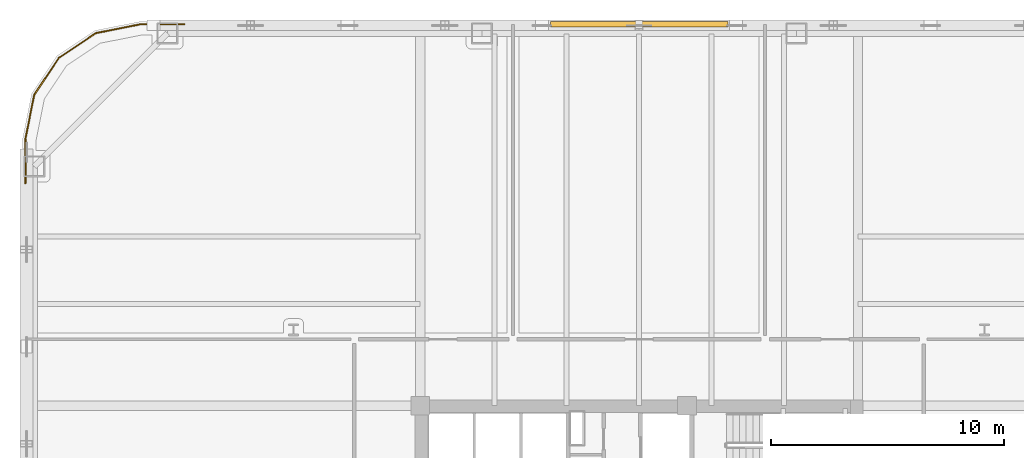
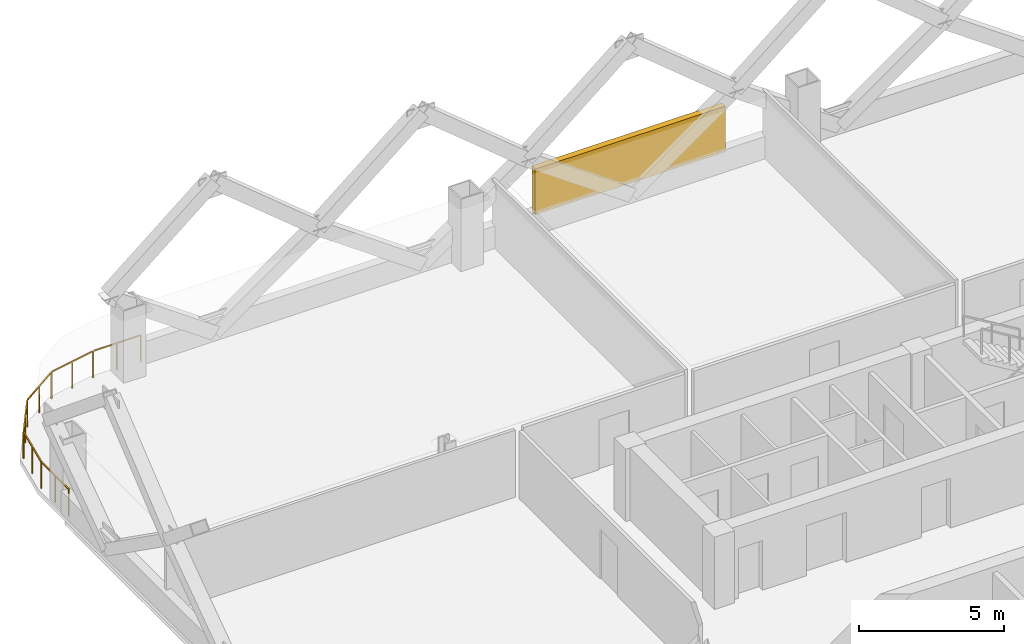
# One storey, part 11 of 12: 1 railing, 1 shading device.
"""IFC4 building model written with IfcOpenShell, lengths in metres."""

from ifc_helpers import new_model, si_unit, direction, frame, origin, origin_2d, place, context, subcontext, project, spatial, rectangle, extrude, material, type_object, element, save


model = new_model("IFC4")

# Units and contexts
model_context = context("Model", 3, precision=1e-05, world=origin(), true_north=direction((0.0, 1.0)))
body_context = subcontext(model_context, "Body", "Model", "MODEL_VIEW")
ifc_project = project(units=[si_unit("LENGTHUNIT", "METRE"), si_unit("AREAUNIT", "SQUARE_METRE"), si_unit("VOLUMEUNIT", "CUBIC_METRE"), si_unit("PLANEANGLEUNIT", "RADIAN"), si_unit("MASSUNIT", "GRAM", prefix="KILO")], contexts=[model_context])

# Site, building, storey
site_placement = place(None, origin())
site = spatial("IfcSite", under=ifc_project, at=site_placement, CompositionType="ELEMENT")
building_placement = place(site_placement, origin())
building = spatial("IfcBuilding", under=site, at=building_placement, Name="Qhalaya Broadcast Tower", CompositionType="ELEMENT")
storey_placement = place(building_placement, frame((0.0, 0.0, 50.5)))
storey = spatial("IfcBuildingStorey", under=building, at=storey_placement, Name="L14", CompositionType="ELEMENT", Elevation=50.5)

# Railing
ifc_material_1 = material(Name="Powder-Coated Galvanised Steel", Category="steel")
railing_type = type_object("IfcRailingType", Name="Terrace, Sky-Pool & Lookout Glass Balustrade 1150", PredefinedType="BALUSTRADE", material=ifc_material_1)
railing_placement = place(storey_placement, frame((-26.280029296875, 19.48193359375, 0.0)))
element("IfcRailing", 1, at=railing_placement, inside=storey, type_object=railing_type, Name="L14 Rounded Corner Perimeter Guard 03", PredefinedType="BALUSTRADE", context=body_context, shape_type="SweptSolid", body=[
    extrude(rectangle(XDim=0.048095703125, YDim=0.048095703125, at=origin_2d()), frame((0.0, 0.0, 1.1259765625), z_axis=(0.0, 1.0, 0.0), x_axis=(-1.0, 0.0, 0.0)), (0.0, 0.0, 1.0), 1.87744140625),
    extrude(rectangle(XDim=0.048095703125, YDim=0.048095703125, at=origin_2d()), frame((0.005615234375, 1.9345703125, 1.1259765625), z_axis=(0.195037378397, 0.980795810058, 0.0), x_axis=(-0.980795810058, 0.195037378397, 0.0)), (0.0, 0.0, 1.0), 1.857421875),
    extrude(rectangle(XDim=0.048095703125, YDim=0.048095703125, at=origin_2d()), frame((0.3896484375, 3.80859375, 1.1259765625), z_axis=(0.555558355728, 0.831477548332, 0.0), x_axis=(-0.831477548332, 0.555558355728, 0.0)), (0.0, 0.0, 1.0), 1.845458984375),
    extrude(rectangle(XDim=0.048095703125, YDim=0.048095703125, at=origin_2d()), frame((1.454833984375, 5.38330078125, 1.1259765625), z_axis=(0.831477548332, 0.555558355728, 0.0), x_axis=(-0.555558355728, 0.831477548332, 0.0)), (0.0, 0.0, 1.0), 1.845458984375),
    extrude(rectangle(XDim=0.048095703125, YDim=0.048095703125, at=origin_2d()), frame((3.041748046875, 6.43017578125, 1.1259765625), z_axis=(0.980795810058, 0.195037378397, 0.0), x_axis=(-0.195037378397, 0.980795810058, 0.0)), (0.0, 0.0, 1.0), 1.857421875),
    extrude(rectangle(XDim=0.048095703125, YDim=0.048095703125, at=origin_2d()), frame((4.920654296875, 6.798095703125, 1.1259765625), z_axis=(1.0, 0.0, 0.0), x_axis=(0.0, 1.0, 0.0)), (0.0, 0.0, 1.0), 1.87744140625),
    extrude(rectangle(XDim=0.0419921875, YDim=0.0419921875, at=origin_2d()), origin(), (0.0, 0.0, 1.0), 1.099853515625),
    extrude(rectangle(XDim=0.0419921875, YDim=0.0419921875, at=origin_2d()), frame((0.0, 0.953125, 0.0)), (0.0, 0.0, 1.0), 1.099853515625),
    extrude(rectangle(XDim=0.0419921875, YDim=0.0419921875, at=origin_2d()), frame((0.0, 1.90625, 0.0)), (0.0, 0.0, 1.0), 1.099853515625),
    extrude(rectangle(XDim=0.0419921875, YDim=0.0419921875, at=origin_2d()), frame((0.186767578125, 2.845458984375, 0.0)), (0.0, 0.0, 1.0), 1.099853515625),
    extrude(rectangle(XDim=0.0419921875, YDim=0.0419921875, at=origin_2d()), frame((0.37353515625, 3.78466796875, 0.0)), (0.0, 0.0, 1.0), 1.099853515625),
    extrude(rectangle(XDim=0.0419921875, YDim=0.0419921875, at=origin_2d()), frame((0.90234375, 4.575927734375, 0.0)), (0.0, 0.0, 1.0), 1.099853515625),
    extrude(rectangle(XDim=0.0419921875, YDim=0.0419921875, at=origin_2d()), frame((1.430908203125, 5.3671875, 0.0)), (0.0, 0.0, 1.0), 1.099853515625),
    extrude(rectangle(XDim=0.0419921875, YDim=0.0419921875, at=origin_2d()), frame((2.22216796875, 5.89599609375, 0.0)), (0.0, 0.0, 1.0), 1.099853515625),
    extrude(rectangle(XDim=0.0419921875, YDim=0.0419921875, at=origin_2d()), frame((3.013427734375, 6.424560546875, 0.0)), (0.0, 0.0, 1.0), 1.099853515625),
    extrude(rectangle(XDim=0.0419921875, YDim=0.0419921875, at=origin_2d()), frame((3.95263671875, 6.611328125, 0.0)), (0.0, 0.0, 1.0), 1.099853515625),
    extrude(rectangle(XDim=0.0419921875, YDim=0.0419921875, at=origin_2d()), frame((4.891845703125, 6.798095703125, 0.0)), (0.0, 0.0, 1.0), 1.099853515625),
    extrude(rectangle(XDim=0.0419921875, YDim=0.0419921875, at=origin_2d()), frame((5.844970703125, 6.798095703125, 0.0)), (0.0, 0.0, 1.0), 1.099853515625),
    extrude(rectangle(XDim=0.0419921875, YDim=0.0419921875, at=origin_2d()), frame((6.798095703125, 6.798095703125, 0.0)), (0.0, 0.0, 1.0), 1.099853515625),
])

# Shading device
ifc_material_2 = material(Name="Fired Architectural Terracotta", Category="masonry")
shading_device_type = type_object("IfcShadingDeviceType", Name="Terracotta Baguette Solar Screen Assembly TBS-01", PredefinedType="USERDEFINED", material=ifc_material_2)
shading_device_placement = place(storey_placement, frame((0.0, 26.280029296875, 0.79248046875), z_axis=(0.0, 0.0, 1.0), x_axis=(-1.0, 0.0, 0.0)))
element("IfcShadingDevice", 2, at=shading_device_placement, inside=storey, type_object=shading_device_type, Name="L14 Fired Terracotta Baguette Screen N", ObjectType="BAGUETTE", PredefinedType="USERDEFINED", context=body_context, shape_type="SweptSolid", body=[
    extrude(rectangle(XDim=7.60009765625, YDim=0.239990234375, at=origin_2d()), origin(), (0.0, 0.0, 1.0), 1.924072265625),
])

save(model, "model.ifc")
